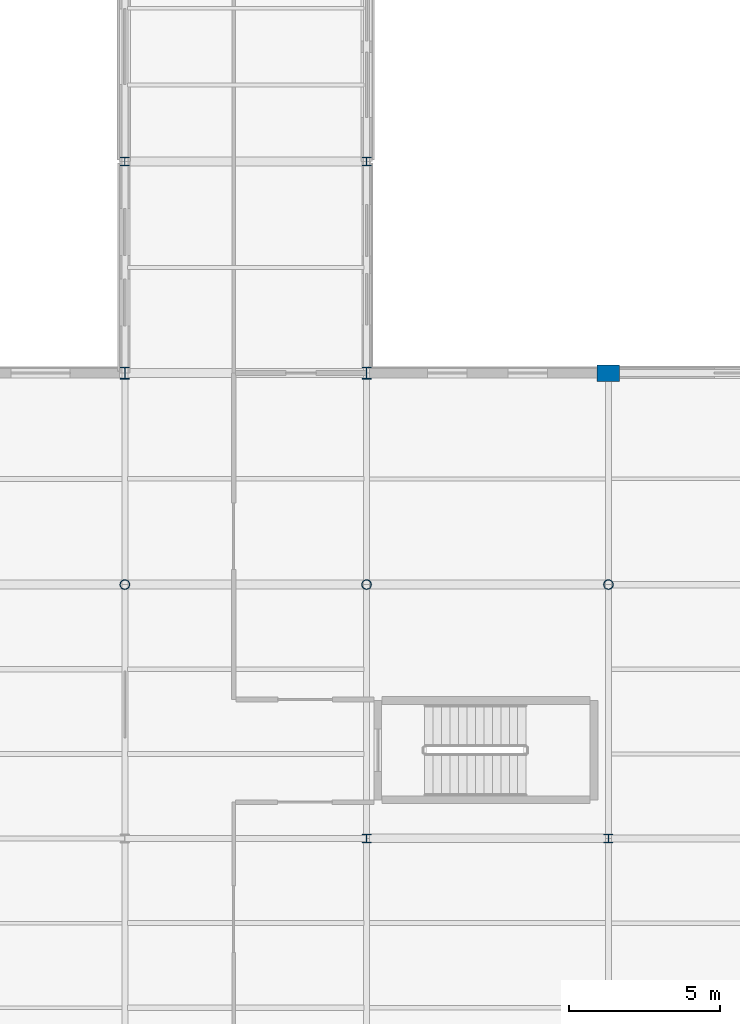
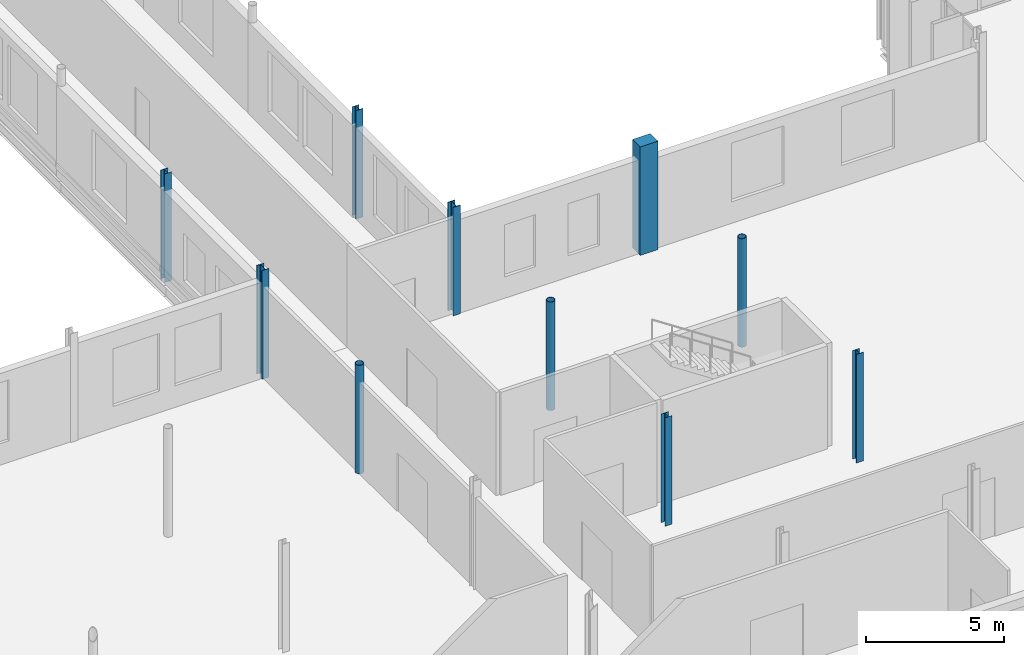
# One storey, part 6 of 120: 10 columns.
"""IFC4 building model written with IfcOpenShell, lengths in metres."""

from ifc_helpers import new_model, si_unit, direction, frame, origin, origin_2d, place, context, subcontext, project, spatial, rectangle, hollow_circle, i_section, extrude, material, material_profile, profile_set, type_object, element, save


model = new_model("IFC4")

# Units and contexts
model_context = context("Model", 3, precision=1e-05, world=origin(), true_north=direction((0.0, 1.0)))
body_context = subcontext(model_context, "Body", "Model", "MODEL_VIEW")
ifc_project = project(units=[si_unit("LENGTHUNIT", "METRE"), si_unit("AREAUNIT", "SQUARE_METRE"), si_unit("VOLUMEUNIT", "CUBIC_METRE"), si_unit("PLANEANGLEUNIT", "RADIAN"), si_unit("MASSUNIT", "GRAM", prefix="KILO")], contexts=[model_context])

# Site, building, storey
site_placement = place(None, origin())
site = spatial("IfcSite", under=ifc_project, at=site_placement, CompositionType="ELEMENT")
building_placement = place(site_placement, origin())
building = spatial("IfcBuilding", under=site, at=building_placement, Name="Vekula Escarpment Museum", CompositionType="ELEMENT")
storey_placement = place(building_placement, frame((0.0, 0.0, 13.199951171875)))
storey = spatial("IfcBuildingStorey", under=building, at=storey_placement, Name="L03", CompositionType="ELEMENT", Elevation=13.199951171875)

# Columns
ifc_material_1 = material(Name="Steel S355", Category="steel")
ifc_material_profile_1 = material_profile(ifc_material_1, hollow_circle(Radius=0.161865234375, WallThickness=0.01611328125, at=origin_2d()), Name="CHS 323.9x16")
ifc_profile_set_1 = profile_set([ifc_material_profile_1], Name="Steel S355")
column_type_1 = type_object("IfcColumnType", Name="COL-S-CHS323", PredefinedType="COLUMN", material=ifc_profile_set_1)
for number, where, z_axis, x_axis, name in (
    (1, (40.0, 76.39990234375, 0.0), (0.0, 0.0, 1.0), (1.0, 0.0, 0.0), "Column L03 (40.0,76.4)"),
    (2, (48.0, 76.39990234375, 0.0), (0.0, 0.0, 1.0), (1.0, 0.0, 0.0), "Column L03 (48.0,76.4)"),
    (3, (56.0, 76.39990234375, 0.0), (0.0, 0.0, 1.0), (1.0, 0.0, 0.0), "Column L03 (56.0,76.4)"),
):
    element("IfcColumn", number, at=place(storey_placement, frame(where, z_axis=z_axis, x_axis=x_axis)), inside=storey, type_object=column_type_1, Name=name, PredefinedType="COLUMN", context=body_context, shape_type="SweptSolid", body=[
        extrude(hollow_circle(Radius=0.161865234375, WallThickness=0.01611328125, at=origin_2d()), origin(), (0.0, 0.0, 1.0), 4.800048828125),
    ])
ifc_material_2 = material(Name="Steel S355", Category="steel")
ifc_material_profile_2 = material_profile(ifc_material_2, i_section(OverallWidth=0.300048828125, OverallDepth=0.2900390625, WebThickness=0.008544921875, FlangeThickness=0.013916015625, FilletRadius=0.027099609375, at=origin_2d()), Name="HEA 300")
ifc_profile_set_2 = profile_set([ifc_material_profile_2], Name="Steel S355")
column_type_2 = type_object("IfcColumnType", Name="COL-S-HEA300", PredefinedType="COLUMN", material=ifc_profile_set_2)
for number, where, z_axis, x_axis, name in (
    (4, (40.0, 90.39990234375, 0.0), (0.0, 0.0, 1.0), (1.0, 0.0, 0.0), "Column L03 (40.0,90.4)"),
    (5, (48.0, 68.0, 0.0), (0.0, 0.0, 1.0), (1.0, 0.0, 0.0), "Column L03 (48.0,68.0)"),
    (6, (48.0, 90.39990234375, 0.0), (0.0, 0.0, 1.0), (1.0, 0.0, 0.0), "Column L03 (48.0,90.4)"),
    (7, (56.0, 68.0, 0.0), (0.0, 0.0, 1.0), (1.0, 0.0, 0.0), "Column L03 (56.0,68.0)"),
):
    element("IfcColumn", number, at=place(storey_placement, frame(where, z_axis=z_axis, x_axis=x_axis)), inside=storey, type_object=column_type_2, Name=name, PredefinedType="COLUMN", context=body_context, shape_type="SweptSolid", body=[
        extrude(i_section(OverallWidth=0.300048828125, OverallDepth=0.2900390625, WebThickness=0.008544921875, FlangeThickness=0.013916015625, FilletRadius=0.027099609375, at=origin_2d()), origin(), (0.0, 0.0, 1.0), 4.800048828125),
    ])
ifc_material_3 = material(Name="Steel S355", Category="steel")
ifc_material_profile_3 = material_profile(ifc_material_3, i_section(OverallWidth=0.300048828125, OverallDepth=0.39990234375, WebThickness=0.013427734375, FlangeThickness=0.02392578125, FilletRadius=0.027099609375, at=origin_2d()), Name="HEB 400")
ifc_profile_set_3 = profile_set([ifc_material_profile_3], Name="Steel S355")
column_type_3 = type_object("IfcColumnType", Name="COL-S-HEB400", PredefinedType="COLUMN", material=ifc_profile_set_3)
for number, where, z_axis, x_axis, name in (
    (8, (40.0, 83.39990234375, 0.0), (0.0, 0.0, 1.0), (1.0, 0.0, 0.0), "Column L03 (40.0,83.4)"),
    (9, (48.0, 83.39990234375, 0.0), (0.0, 0.0, 1.0), (1.0, 0.0, 0.0), "Column L03 (48.0,83.4)"),
):
    element("IfcColumn", number, at=place(storey_placement, frame(where, z_axis=z_axis, x_axis=x_axis)), inside=storey, type_object=column_type_3, Name=name, PredefinedType="COLUMN", context=body_context, shape_type="SweptSolid", body=[
        extrude(i_section(OverallWidth=0.300048828125, OverallDepth=0.39990234375, WebThickness=0.013427734375, FlangeThickness=0.02392578125, FilletRadius=0.027099609375, at=origin_2d()), origin(), (0.0, 0.0, 1.0), 4.800048828125),
    ])
ifc_material_4 = material(Name="Inkisi arkosic sandstone masonry", Category="masonry")
ifc_material_profile_4 = material_profile(ifc_material_4, rectangle(XDim=0.75, YDim=0.550048828125, at=origin_2d()), Name="PIER 750x550")
ifc_profile_set_4 = profile_set([ifc_material_profile_4], Name="Inkisi arkosic sandstone masonry")
column_type_4 = type_object("IfcColumnType", Name="PIL-ALM-750", PredefinedType="PILASTER", material=ifc_profile_set_4)
column_placement = place(storey_placement, frame((56.0, 83.39990234375, 0.0), z_axis=(0.0, 0.0, 1.0), x_axis=(1.0, 0.0, 0.0)))
element("IfcColumn", 10, at=column_placement, inside=storey, type_object=column_type_4, Name="Column L03 (56.0,83.4)", PredefinedType="PILASTER", context=body_context, shape_type="SweptSolid", body=[
    extrude(rectangle(XDim=0.75, YDim=0.550048828125, at=origin_2d()), origin(), (0.0, 0.0, 1.0), 4.800048828125),
])

save(model, "model.ifc")
